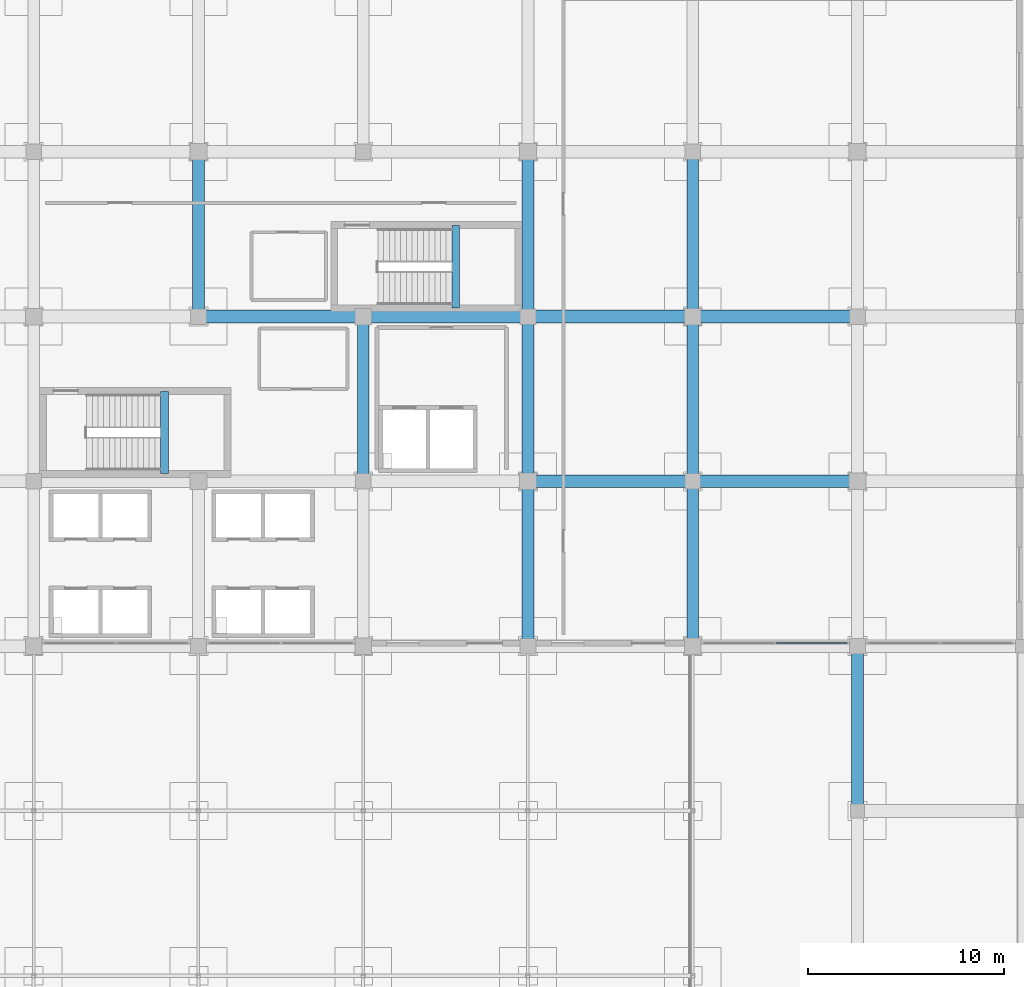
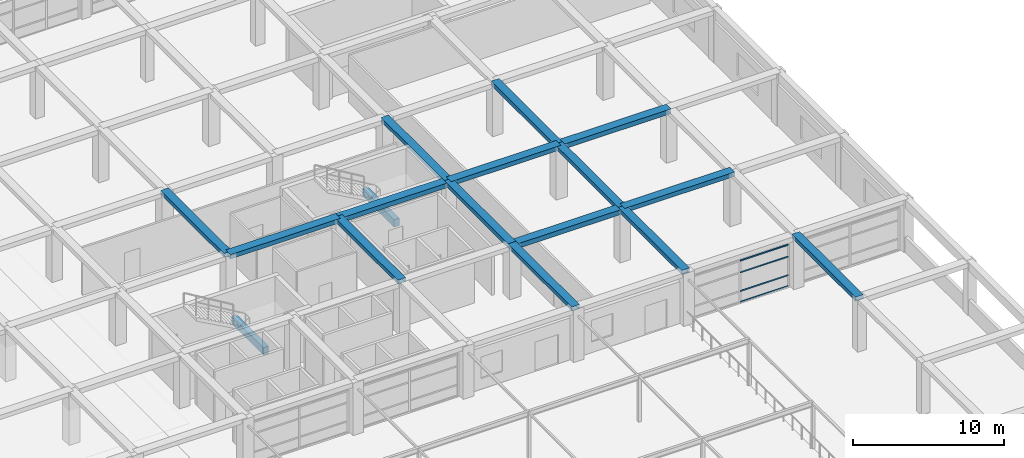
# One storey, part 56 of 85: 17 beams, 4 members, 1 element without a shape of its own.
"""IFC4 building model written with IfcOpenShell, lengths in metres."""

from ifc_helpers import new_model, si_unit, direction, frame, origin, origin_2d, place, context, subcontext, project, spatial, rectangle, hollow_rectangle, extrude, material, material_profile, profile_set, type_object, element, aggregate, save


model = new_model("IFC4")

# Units and contexts
model_context = context("Model", 3, precision=1e-05, world=origin(), true_north=direction((0.0, 1.0)))
body_context = subcontext(model_context, "Body", "Model", "MODEL_VIEW")
ifc_project = project(units=[si_unit("LENGTHUNIT", "METRE"), si_unit("AREAUNIT", "SQUARE_METRE"), si_unit("VOLUMEUNIT", "CUBIC_METRE"), si_unit("PLANEANGLEUNIT", "RADIAN"), si_unit("MASSUNIT", "GRAM", prefix="KILO")], contexts=[model_context])

# Site, building, storey
site_placement = place(None, origin())
site = spatial("IfcSite", under=ifc_project, at=site_placement, CompositionType="ELEMENT")
building_placement = place(site_placement, origin())
building = spatial("IfcBuilding", under=site, at=building_placement, Name="Almacenes y Pasaje Nevantli", CompositionType="ELEMENT")
storey_placement = place(building_placement, frame((0.0, 0.0, 22.199951171875)))
storey = spatial("IfcBuildingStorey", under=building, at=storey_placement, Name="L05", CompositionType="ELEMENT", Elevation=22.199951171875)

# Beams
ifc_material_1 = material(Name="Concrete C35/45", Category="concrete")
ifc_material_profile_1 = material_profile(ifc_material_1, rectangle(XDim=0.39990234375, YDim=0.60009765625, at=origin_2d()), Name="RC-BM-400x600")
ifc_profile_set_1 = profile_set([ifc_material_profile_1], Name="Concrete C35/45")
beam_type_1 = type_object("IfcBeamType", Name="BM-RC-400x600", PredefinedType="SPANDREL", material=ifc_profile_set_1)
for number, where, z_axis, x_axis, name in (
    (1, (124.27001953125, 76.0, 1.75), (0.0, 1.0, 0.0), (-1.0, 0.0, 0.0), "L05 Stair ST-01 Half-Landing Support Beam"),
    (2, (139.1201171875, 84.449951171875, 1.75), (0.0, 1.0, 0.0), (-1.0, 0.0, 0.0), "L05 Stair ST-02 Half-Landing Support Beam"),
):
    element("IfcBeam", number, at=place(storey_placement, frame(where, z_axis=z_axis, x_axis=x_axis)), inside=storey, type_object=beam_type_1, Name=name, PredefinedType="SPANDREL", context=body_context, shape_type="SweptSolid", body=[
        extrude(rectangle(XDim=0.39990234375, YDim=0.60009765625, at=origin_2d()), origin(), (0.0, 0.0, 1.0), 4.18994140625),
    ])
ifc_material_2 = material(Name="Concrete C35/45", Category="concrete")
ifc_material_profile_2 = material_profile(ifc_material_2, rectangle(XDim=0.60009765625, YDim=0.320068359375, at=origin_2d()), Name="RC-BM-600x320")
ifc_profile_set_2 = profile_set([ifc_material_profile_2], Name="Concrete C35/45")
beam_type_2 = type_object("IfcBeamType", Name="BM-RC-600x320", PredefinedType="BEAM", material=ifc_profile_set_2)
for number, where, z_axis, x_axis, name in (
    (3, (126.0, 84.0, 4.06005859375), (0.0, 1.0, 0.0), (-1.0, 0.0, 0.0), "L05 North-South Reinforced Concrete Beam #3517"),
    (4, (134.39990234375, 75.60009765625, 4.06005859375), (0.0, 1.0, 0.0), (-1.0, 0.0, 0.0), "L05 North-South Reinforced Concrete Beam #3524"),
):
    element("IfcBeam", number, at=place(storey_placement, frame(where, z_axis=z_axis, x_axis=x_axis)), inside=storey, type_object=beam_type_2, Name=name, PredefinedType="BEAM", context=body_context, shape_type="SweptSolid", body=[
        extrude(rectangle(XDim=0.60009765625, YDim=0.320068359375, at=origin_2d()), origin(), (0.0, 0.0, 1.0), 8.39990234375),
    ])
beam_1_placement = place(storey_placement, frame((142.800048828125, 67.199951171875, 4.06005859375), z_axis=(0.0, 1.0, 0.0), x_axis=(-1.0, 0.0, 0.0)))
element("IfcBeam", 5, at=beam_1_placement, inside=storey, type_object=beam_type_2, Name="L05 North-South Reinforced Concrete Beam #3531", PredefinedType="BEAM", context=body_context, shape_type="SweptSolid", body=[
    extrude(rectangle(XDim=0.60009765625, YDim=0.320068359375, at=origin_2d()), origin(), (0.0, 0.0, 1.0), 8.400146484375),
])
for number, where, z_axis, x_axis, name in (
    (6, (142.800048828125, 84.0, 4.06005859375), (0.0, 1.0, 0.0), (-1.0, 0.0, 0.0), "L05 North-South Reinforced Concrete Beam #3533"),
    (7, (151.199951171875, 75.60009765625, 4.06005859375), (0.0, 1.0, 0.0), (-1.0, 0.0, 0.0), "L05 North-South Reinforced Concrete Beam #3541"),
):
    element("IfcBeam", number, at=place(storey_placement, frame(where, z_axis=z_axis, x_axis=x_axis)), inside=storey, type_object=beam_type_2, Name=name, PredefinedType="BEAM", context=body_context, shape_type="SweptSolid", body=[
        extrude(rectangle(XDim=0.60009765625, YDim=0.320068359375, at=origin_2d()), origin(), (0.0, 0.0, 1.0), 8.39990234375),
    ])
ifc_material_3 = material(Name="Concrete C35/45", Category="concrete")
ifc_material_profile_3 = material_profile(ifc_material_3, rectangle(XDim=0.60009765625, YDim=0.340087890625, at=origin_2d()), Name="RC-BM-600x340")
ifc_profile_set_3 = profile_set([ifc_material_profile_3], Name="Concrete C35/45")
beam_type_3 = type_object("IfcBeamType", Name="BM-RC-600x340", PredefinedType="BEAM", material=ifc_profile_set_3)
beam_2_placement = place(storey_placement, frame((142.800048828125, 75.60009765625, 4.050048828125), z_axis=(0.0, 1.0, 0.0), x_axis=(-1.0, 0.0, 0.0)))
element("IfcBeam", 8, at=beam_2_placement, inside=storey, type_object=beam_type_3, Name="L05 North-South Reinforced Concrete Beam #3532", PredefinedType="BEAM", context=body_context, shape_type="SweptSolid", body=[
    extrude(rectangle(XDim=0.60009765625, YDim=0.340087890625, at=origin_2d()), origin(), (0.0, 0.0, 1.0), 8.39990234375),
])
beam_3_placement = place(storey_placement, frame((151.199951171875, 67.199951171875, 4.050048828125), z_axis=(0.0, 1.0, 0.0), x_axis=(-1.0, 0.0, 0.0)))
element("IfcBeam", 9, at=beam_3_placement, inside=storey, type_object=beam_type_3, Name="L05 North-South Reinforced Concrete Beam #3540", PredefinedType="BEAM", context=body_context, shape_type="SweptSolid", body=[
    extrude(rectangle(XDim=0.60009765625, YDim=0.340087890625, at=origin_2d()), origin(), (0.0, 0.0, 1.0), 8.400146484375),
])
for number, where, z_axis, x_axis, name in (
    (10, (151.199951171875, 84.0, 4.050048828125), (0.0, 1.0, 0.0), (-1.0, 0.0, 0.0), "L05 North-South Reinforced Concrete Beam #3542"),
    (11, (159.60009765625, 58.800048828125, 4.050048828125), (0.0, 1.0, 0.0), (-1.0, 0.0, 0.0), "L05 North-South Reinforced Concrete Beam #3552"),
):
    element("IfcBeam", number, at=place(storey_placement, frame(where, z_axis=z_axis, x_axis=x_axis)), inside=storey, type_object=beam_type_3, Name=name, PredefinedType="BEAM", context=body_context, shape_type="SweptSolid", body=[
        extrude(rectangle(XDim=0.60009765625, YDim=0.340087890625, at=origin_2d()), origin(), (0.0, 0.0, 1.0), 8.39990234375),
    ])
ifc_material_4 = material(Name="Concrete C35/45", Category="concrete")
ifc_material_profile_4 = material_profile(ifc_material_4, rectangle(XDim=0.64990234375, YDim=0.35009765625, at=origin_2d()), Name="RC-BM-650x350")
ifc_profile_set_4 = profile_set([ifc_material_profile_4], Name="Concrete C35/45")
beam_type_4 = type_object("IfcBeamType", Name="BM-RC-650x350", PredefinedType="BEAM", material=ifc_profile_set_4)
beam_4_placement = place(storey_placement, frame((151.199951171875, 75.60009765625, 4.045166015625), z_axis=(1.0, 0.0, 0.0), x_axis=(0.0, 1.0, 0.0)))
element("IfcBeam", 12, at=beam_4_placement, inside=storey, type_object=beam_type_4, Name="L05 East-West Reinforced Concrete Beam #3335", PredefinedType="BEAM", context=body_context, shape_type="SweptSolid", body=[
    extrude(rectangle(XDim=0.64990234375, YDim=0.35009765625, at=origin_2d()), origin(), (0.0, 0.0, 1.0), 8.400146484375),
])
for number, where, z_axis, x_axis, name in (
    (13, (126.0, 84.0, 4.045166015625), (1.0, 0.0, 0.0), (0.0, 1.0, 0.0), "L05 East-West Reinforced Concrete Beam #3349"),
    (14, (142.800048828125, 84.0, 4.045166015625), (1.0, 0.0, 0.0), (0.0, 1.0, 0.0), "L05 East-West Reinforced Concrete Beam #3351"),
):
    element("IfcBeam", number, at=place(storey_placement, frame(where, z_axis=z_axis, x_axis=x_axis)), inside=storey, type_object=beam_type_4, Name=name, PredefinedType="BEAM", context=body_context, shape_type="SweptSolid", body=[
        extrude(rectangle(XDim=0.64990234375, YDim=0.35009765625, at=origin_2d()), origin(), (0.0, 0.0, 1.0), 8.39990234375),
    ])
ifc_material_5 = material(Name="Concrete C35/45", Category="concrete")
ifc_material_profile_5 = material_profile(ifc_material_5, rectangle(XDim=0.64990234375, YDim=0.3798828125, at=origin_2d()), Name="RC-BM-650x380")
ifc_profile_set_5 = profile_set([ifc_material_profile_5], Name="Concrete C35/45")
beam_type_5 = type_object("IfcBeamType", Name="BM-RC-650x380", PredefinedType="BEAM", material=ifc_profile_set_5)
beam_5_placement = place(storey_placement, frame((142.800048828125, 75.60009765625, 4.030029296875), z_axis=(1.0, 0.0, 0.0), x_axis=(0.0, 1.0, 0.0)))
element("IfcBeam", 15, at=beam_5_placement, inside=storey, type_object=beam_type_5, Name="L05 East-West Reinforced Concrete Beam #3334", PredefinedType="BEAM", context=body_context, shape_type="SweptSolid", body=[
    extrude(rectangle(XDim=0.64990234375, YDim=0.3798828125, at=origin_2d()), origin(), (0.0, 0.0, 1.0), 8.39990234375),
])
for number, where, z_axis, x_axis, name in (
    (16, (134.39990234375, 84.0, 4.030029296875), (1.0, 0.0, 0.0), (0.0, 1.0, 0.0), "L05 East-West Reinforced Concrete Beam #3350"),
    (17, (151.199951171875, 84.0, 4.030029296875), (1.0, 0.0, 0.0), (0.0, 1.0, 0.0), "L05 East-West Reinforced Concrete Beam #3352"),
):
    element("IfcBeam", number, at=place(storey_placement, frame(where, z_axis=z_axis, x_axis=x_axis)), inside=storey, type_object=beam_type_5, Name=name, PredefinedType="BEAM", context=body_context, shape_type="SweptSolid", body=[
        extrude(rectangle(XDim=0.64990234375, YDim=0.3798828125, at=origin_2d()), origin(), (0.0, 0.0, 1.0), 8.400146484375),
    ])

# Curtain wall, members
ifc_material_6 = material(Name="Thermally Broken Aluminium and Low-E Glass", Category="aluminium")
curtain_wall_type = type_object("IfcCurtainWallType", Name="CW-STF-ATRIUM", PredefinedType="USERDEFINED", material=ifc_material_6)
curtain_wall_placement = place(storey_placement, origin())
curtain_wall = element("IfcCurtainWall", 18, at=curtain_wall_placement, inside=storey, type_object=curtain_wall_type, Name="L05 Sky-Lobby South Terrace Glazing Bay 19", ObjectType="STOREFRONT GLAZING", PredefinedType="USERDEFINED")
ifc_material_7 = material(Name="Thermally Broken Anodized Aluminium", Category="aluminium")
ifc_material_profile_6 = material_profile(ifc_material_7, hollow_rectangle(XDim=0.054931640625, YDim=0.10498046875, WallThickness=0.003173828125, at=origin_2d()), Name="ALU-TRN-55x105")
ifc_profile_set_6 = profile_set([ifc_material_profile_6], Name="Thermally Broken Anodized Aluminium")
member_type = type_object("IfcMemberType", Name="CW-TRN-120", PredefinedType="USERDEFINED", material=ifc_profile_set_6)
member_1_placement = place(storey_placement, frame((155.427490234375, 67.35009765625, 0.027587890625), z_axis=(1.0, 0.0, 0.0), x_axis=(0.0, 1.0, 0.0)))
member_1 = element("IfcMember", 19, at=member_1_placement, type_object=member_type, Name="CW-L05-093 transom 2.1", ObjectType="TRANSOM", PredefinedType="USERDEFINED", context=body_context, shape_type="SweptSolid", body=[
    extrude(hollow_rectangle(XDim=0.054931640625, YDim=0.10498046875, WallThickness=0.003173828125, at=origin_2d()), origin(), (0.0, 0.0, 1.0), 3.66748046875),
])
member_2_placement = place(storey_placement, frame((155.427490234375, 67.35009765625, 0.900146484375), z_axis=(1.0, 0.0, 0.0), x_axis=(0.0, 1.0, 0.0)))
member_2 = element("IfcMember", 20, at=member_2_placement, type_object=member_type, Name="CW-L05-093 transom 2.2", ObjectType="TRANSOM", PredefinedType="USERDEFINED", context=body_context, shape_type="SweptSolid", body=[
    extrude(hollow_rectangle(XDim=0.054931640625, YDim=0.10498046875, WallThickness=0.003173828125, at=origin_2d()), origin(), (0.0, 0.0, 1.0), 3.66748046875),
])
member_3_placement = place(storey_placement, frame((155.427490234375, 67.35009765625, 2.400146484375), z_axis=(1.0, 0.0, 0.0), x_axis=(0.0, 1.0, 0.0)))
member_3 = element("IfcMember", 21, at=member_3_placement, type_object=member_type, Name="CW-L05-093 transom 2.3", ObjectType="TRANSOM", PredefinedType="USERDEFINED", context=body_context, shape_type="SweptSolid", body=[
    extrude(hollow_rectangle(XDim=0.054931640625, YDim=0.10498046875, WallThickness=0.003173828125, at=origin_2d()), origin(), (0.0, 0.0, 1.0), 3.66748046875),
])
member_4_placement = place(storey_placement, frame((155.427490234375, 67.35009765625, 3.342529296875), z_axis=(1.0, 0.0, 0.0), x_axis=(0.0, 1.0, 0.0)))
member_4 = element("IfcMember", 22, at=member_4_placement, type_object=member_type, Name="CW-L05-093 transom 2.4", ObjectType="TRANSOM", PredefinedType="USERDEFINED", context=body_context, shape_type="SweptSolid", body=[
    extrude(hollow_rectangle(XDim=0.054931640625, YDim=0.10498046875, WallThickness=0.003173828125, at=origin_2d()), origin(), (0.0, 0.0, 1.0), 3.66748046875),
])
aggregate(curtain_wall, [member_1, member_2, member_3, member_4])

save(model, "model.ifc")
